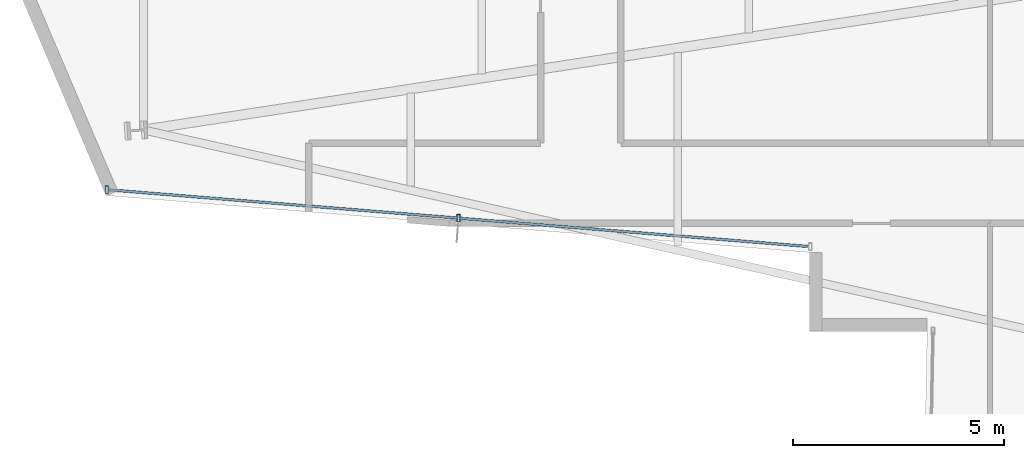
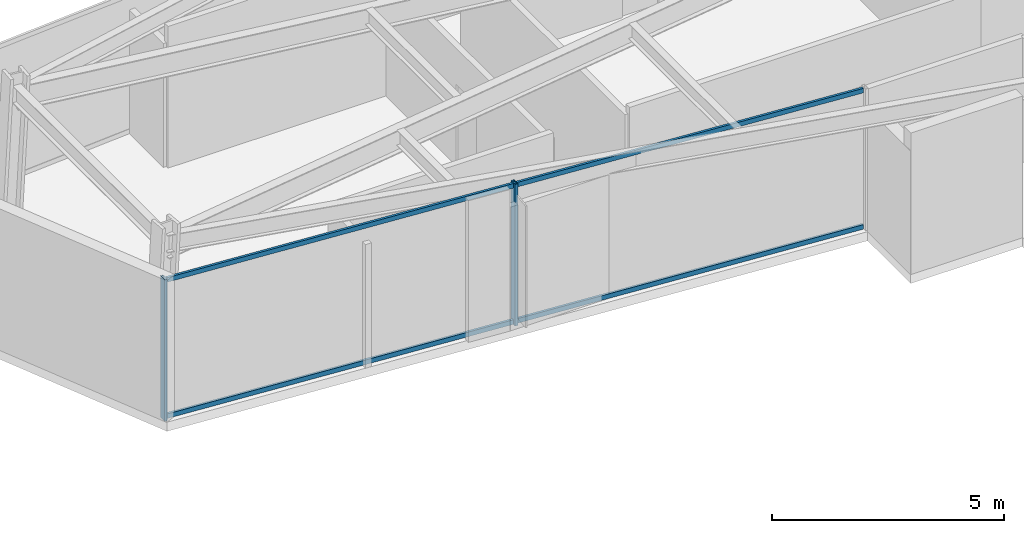
# One storey, part 2 of 25: 4 members, 1 element without a shape of its own.
"""IFC4 building model written with IfcOpenShell, lengths in metres."""

from ifc_helpers import new_model, si_unit, direction, frame, origin, origin_2d, place, context, subcontext, project, spatial, hollow_rectangle, extrude, material, layer, layer_set, material_profile, profile_set, type_object, element, aggregate, save


model = new_model("IFC4")

# Units and contexts
model_context = context("Model", 3, precision=1e-05, world=origin(), true_north=direction((0.0, 1.0)))
body_context = subcontext(model_context, "Body", "Model", "MODEL_VIEW")
ifc_project = project(units=[si_unit("LENGTHUNIT", "METRE"), si_unit("AREAUNIT", "SQUARE_METRE"), si_unit("VOLUMEUNIT", "CUBIC_METRE"), si_unit("PLANEANGLEUNIT", "RADIAN"), si_unit("MASSUNIT", "GRAM", prefix="KILO")], contexts=[model_context])

# Site, building, storey
site_placement = place(None, origin())
site = spatial("IfcSite", under=ifc_project, at=site_placement, CompositionType="ELEMENT")
building_placement = place(site_placement, origin())
building = spatial("IfcBuilding", under=site, at=building_placement, Name="Veymaron Broadcast Tower", CompositionType="ELEMENT")
storey_placement = place(building_placement, frame((0.0, 0.0, 102.60009765625)))
storey = spatial("IfcBuildingStorey", under=building, at=storey_placement, Name="L23", CompositionType="ELEMENT", Elevation=102.60009765625)

# Curtain wall, members
ifc_material_1 = material(Name="Anodised aluminium AA 6063-T6 and laminated low-E dark glass", Category="aluminium")
ifc_layer = layer(ifc_material_1, 0.179931640625)
ifc_layer_set = layer_set([ifc_layer], Name="Anodised aluminium AA 6063-T6 and laminated low-E dark glass")
curtain_wall_type = type_object("IfcCurtainWallType", Name="CW-SYS-02", PredefinedType="NOTDEFINED", material=ifc_layer_set)
curtain_wall_placement = place(storey_placement, origin())
curtain_wall = element("IfcCurtainWall", 1, at=curtain_wall_placement, inside=storey, type_object=curtain_wall_type, Name="L23 dark-glass curtain wall CW-L23-E14-1", PredefinedType="NOTDEFINED")
ifc_material_2 = material(Name="Anodised aluminium AA 6063-T6", Category="aluminium")
ifc_material_profile_1 = material_profile(ifc_material_2, hollow_rectangle(XDim=0.074951171875, YDim=0.179931640625, WallThickness=0.0048828125, at=origin_2d()), Name="AL180X75X5")
ifc_profile_set_1 = profile_set([ifc_material_profile_1], Name="Anodised aluminium AA 6063-T6")
member_type_1 = type_object("IfcMemberType", Name="CW-MUL-02", PredefinedType="MULLION", material=ifc_profile_set_1)
member_1_placement = place(storey_placement, frame((9.211181640625, 19.34814453125, 0.0), z_axis=(0.0, 0.0, 1.0), x_axis=(1.0, 0.0, 0.0)))
member_1 = element("IfcMember", 2, at=member_1_placement, type_object=member_type_1, Name="CW-L23-E14-1 mullion 0", PredefinedType="MULLION", context=body_context, shape_type="SweptSolid", body=[
    extrude(hollow_rectangle(XDim=0.074951171875, YDim=0.179931640625, WallThickness=0.0048828125, at=origin_2d()), origin(), (0.0, 0.0, 1.0), 3.72998046875),
])
member_2_placement = place(storey_placement, frame((17.55126953125, 18.672607421875, 0.0), z_axis=(0.0, 0.0, 1.0), x_axis=(1.0, 0.0, 0.0)))
member_2 = element("IfcMember", 3, at=member_2_placement, type_object=member_type_1, Name="CW-L23-E14-1 mullion 1", PredefinedType="MULLION", context=body_context, shape_type="SweptSolid", body=[
    extrude(hollow_rectangle(XDim=0.074951171875, YDim=0.179931640625, WallThickness=0.0048828125, at=origin_2d()), origin(), (0.0, 0.0, 1.0), 3.72998046875),
])
ifc_material_profile_2 = material_profile(ifc_material_2, hollow_rectangle(XDim=0.06005859375, YDim=0.1201171875, WallThickness=0.00390625, at=origin_2d()), Name="AL120X60X4")
ifc_profile_set_2 = profile_set([ifc_material_profile_2], Name="Anodised aluminium AA 6063-T6")
member_type_2 = type_object("IfcMemberType", Name="CW-TRN-02", PredefinedType="USERDEFINED", material=ifc_profile_set_2)
member_3_placement = place(storey_placement, frame((9.260986328125, 19.343994140625, 0.06982421875), z_axis=(0.99673559492, -0.08073508419, 0.0), x_axis=(0.08073508419, 0.99673559492, 0.0)))
member_3 = element("IfcMember", 4, at=member_3_placement, type_object=member_type_2, Name="CW-L23-E14-1 transom B", ObjectType="TRANSOM", PredefinedType="USERDEFINED", context=body_context, shape_type="SweptSolid", body=[
    extrude(hollow_rectangle(XDim=0.06005859375, YDim=0.1201171875, WallThickness=0.00390625, at=origin_2d()), origin(), (0.0, 0.0, 1.0), 16.634765625),
])
member_4_placement = place(storey_placement, frame((9.260986328125, 19.343994140625, 3.659912109375), z_axis=(0.99673559492, -0.08073508419, 0.0), x_axis=(0.08073508419, 0.99673559492, 0.0)))
member_4 = element("IfcMember", 5, at=member_4_placement, type_object=member_type_2, Name="CW-L23-E14-1 transom T", ObjectType="TRANSOM", PredefinedType="USERDEFINED", context=body_context, shape_type="SweptSolid", body=[
    extrude(hollow_rectangle(XDim=0.06005859375, YDim=0.1201171875, WallThickness=0.00390625, at=origin_2d()), origin(), (0.0, 0.0, 1.0), 16.634765625),
])
aggregate(curtain_wall, [member_1, member_2, member_3, member_4])

save(model, "model.ifc")
